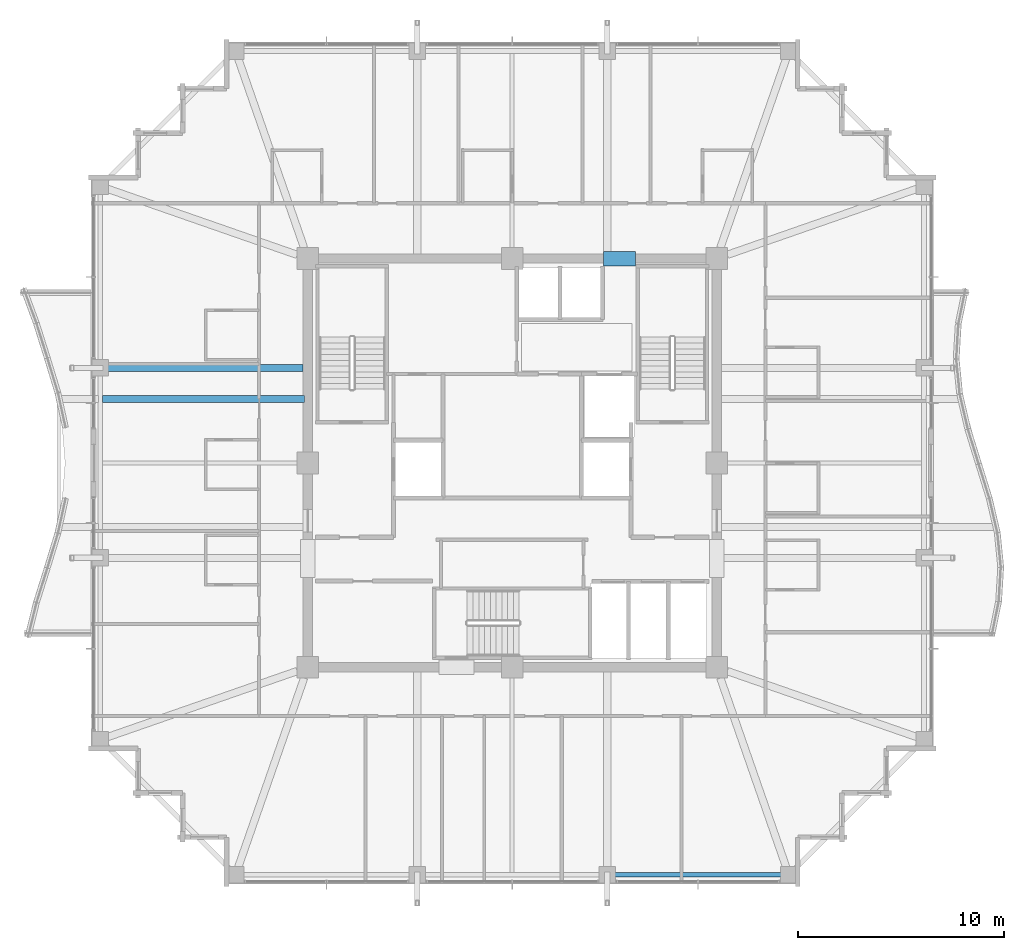
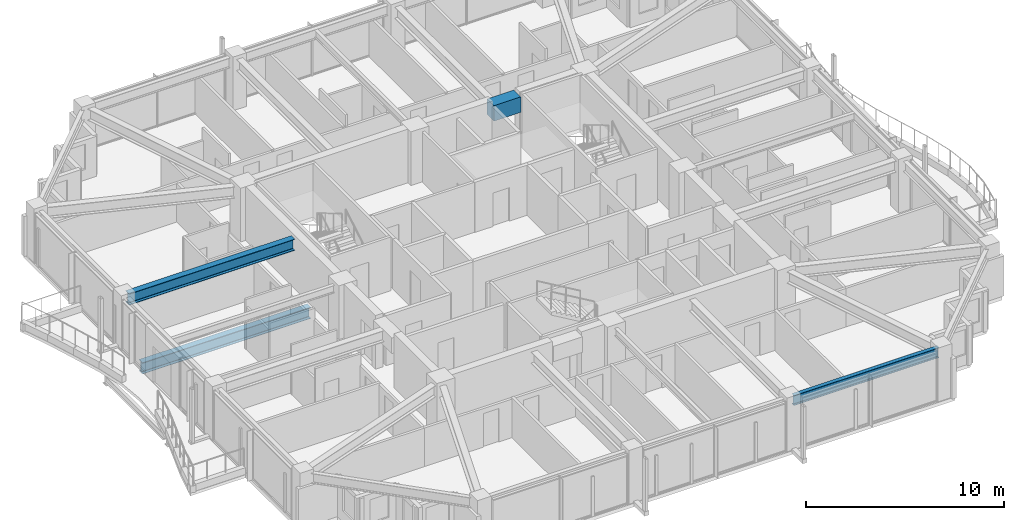
# One storey, part 9 of 35: 4 beams.
"""IFC4 building model written with IfcOpenShell, lengths in metres."""

from ifc_helpers import new_model, si_unit, direction, frame, origin, origin_2d, place, context, subcontext, project, spatial, rectangle, i_section, extrude, material, material_profile, profile_set, type_object, element, save


model = new_model("IFC4")

# Units and contexts
model_context = context("Model", 3, precision=1e-05, world=origin(), true_north=direction((0.0, 1.0)))
body_context = subcontext(model_context, "Body", "Model", "MODEL_VIEW")
ifc_project = project(units=[si_unit("LENGTHUNIT", "METRE"), si_unit("AREAUNIT", "SQUARE_METRE"), si_unit("VOLUMEUNIT", "CUBIC_METRE"), si_unit("PLANEANGLEUNIT", "RADIAN"), si_unit("MASSUNIT", "GRAM", prefix="KILO")], contexts=[model_context])

# Site, building, storey
site_placement = place(None, origin())
site = spatial("IfcSite", under=ifc_project, at=site_placement, CompositionType="ELEMENT")
building_placement = place(site_placement, origin())
building = spatial("IfcBuilding", under=site, at=building_placement, Name="Kolvaren Belvedere", CompositionType="ELEMENT")
storey_placement = place(building_placement, frame((0.0, 0.0, 216.300048828125)))
storey = spatial("IfcBuildingStorey", under=building, at=storey_placement, Name="L63", CompositionType="ELEMENT", Elevation=216.300048828125)

# Beams
ifc_material_1 = material(Name="Structural steel ASTM A992 Grade 50", Category="steel")
ifc_material_profile_1 = material_profile(ifc_material_1, i_section(OverallWidth=0.35498046875, OverallDepth=0.696044921875, WebThickness=0.015380859375, FlangeThickness=0.02490234375, FilletRadius=0.02197265625, at=origin_2d()), Name="W27X146")
ifc_profile_set_1 = profile_set([ifc_material_profile_1], Name="Structural steel ASTM A992 Grade 50")
beam_type_1 = type_object("IfcBeamType", Name="BM-GIRD-W27X146", PredefinedType="BEAM", material=ifc_profile_set_1)
beam_1_placement = place(storey_placement, frame((-10.06494140625, 3.10009765625, -0.568115234375), z_axis=(-1.0, 0.0, 0.0), x_axis=(0.0, -1.0, 0.0)))
element("IfcBeam", 1, at=beam_1_placement, inside=storey, type_object=beam_type_1, Name="L63 Balcony Interior Back-Span Girder BAL-W-2", PredefinedType="BEAM", context=body_context, shape_type="SweptSolid", body=[
    extrude(i_section(OverallWidth=0.35498046875, OverallDepth=0.696044921875, WebThickness=0.015380859375, FlangeThickness=0.02490234375, FilletRadius=0.02197265625, at=origin_2d()), origin(), (0.0, 0.0, 1.0), 9.7900390625),
])
beam_2_placement = place(storey_placement, frame((-10.125, 4.60009765625, 2.73193359375), z_axis=(-1.0, 0.0, 0.0), x_axis=(0.0, -1.0, 0.0)))
element("IfcBeam", 2, at=beam_2_placement, inside=storey, type_object=beam_type_1, Name="L63 West Radial Girder P", PredefinedType="BEAM", context=body_context, shape_type="SweptSolid", body=[
    extrude(i_section(OverallWidth=0.35498046875, OverallDepth=0.696044921875, WebThickness=0.015380859375, FlangeThickness=0.02490234375, FilletRadius=0.02197265625, at=origin_2d()), origin(), (0.0, 0.0, 1.0), 9.64501953125),
])
ifc_material_2 = material(Name="Concrete C60/75", Category="concrete")
ifc_material_profile_2 = material_profile(ifc_material_2, rectangle(XDim=0.699951171875, YDim=0.949951171875, at=origin_2d()), Name="RC 700X950")
ifc_profile_set_2 = profile_set([ifc_material_profile_2], Name="Concrete C60/75")
beam_type_2 = type_object("IfcBeamType", Name="BM-LINT-950", PredefinedType="LINTEL", material=ifc_profile_set_2)
beam_3_placement = place(storey_placement, frame((4.419921875, 9.89990234375, 2.60498046875), z_axis=(1.0, 0.0, 0.0), x_axis=(0.0, 1.0, 0.0)))
element("IfcBeam", 3, at=beam_3_placement, inside=storey, type_object=beam_type_2, Name="L63 North Core Coupling Lintel", PredefinedType="LINTEL", context=body_context, shape_type="SweptSolid", body=[
    extrude(rectangle(XDim=0.699951171875, YDim=0.949951171875, at=origin_2d()), origin(), (0.0, 0.0, 1.0), 1.56005859375),
])
ifc_material_3 = material(Name="Structural steel ASTM A992 Grade 50", Category="steel")
ifc_material_profile_3 = material_profile(ifc_material_3, i_section(OverallWidth=0.22900390625, OverallDepth=0.612060546875, WebThickness=0.011962890625, FlangeThickness=0.01953125, FilletRadius=0.01806640625, at=origin_2d()), Name="W24X84")
ifc_profile_set_3 = profile_set([ifc_material_profile_3], Name="Structural steel ASTM A992 Grade 50")
beam_type_3 = type_object("IfcBeamType", Name="BM-SPAN-W24X84", PredefinedType="SPANDREL", material=ifc_profile_set_3)
beam_4_placement = place(storey_placement, frame((4.780029296875, -19.949951171875, 2.77392578125), z_axis=(1.0, 0.0, 0.0), x_axis=(0.0, 1.0, 0.0)))
element("IfcBeam", 4, at=beam_4_placement, inside=storey, type_object=beam_type_3, Name="L63 Perimeter Spandrel S3-S4", PredefinedType="SPANDREL", context=body_context, shape_type="SweptSolid", body=[
    extrude(i_section(OverallWidth=0.22900390625, OverallDepth=0.612060546875, WebThickness=0.011962890625, FlangeThickness=0.01953125, FilletRadius=0.01806640625, at=origin_2d()), origin(), (0.0, 0.0, 1.0), 8.43994140625),
])

save(model, "model.ifc")
